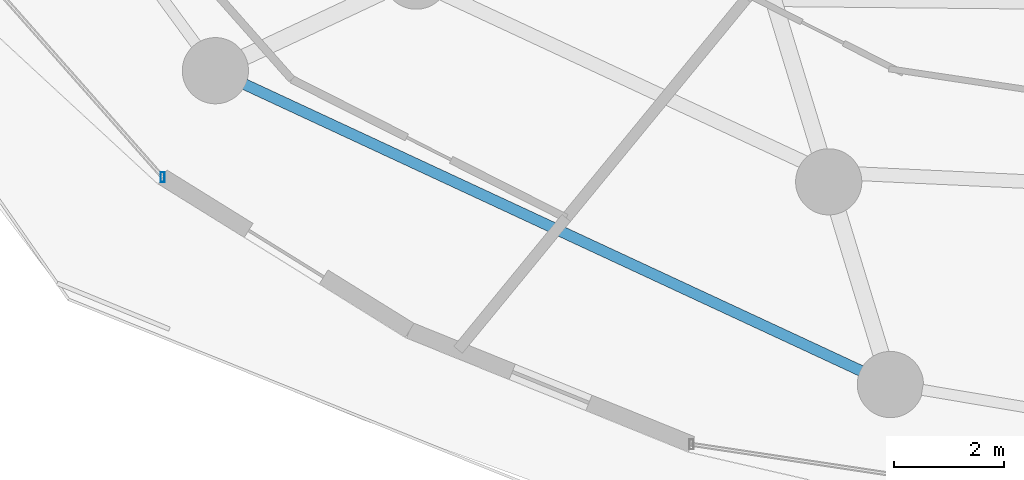
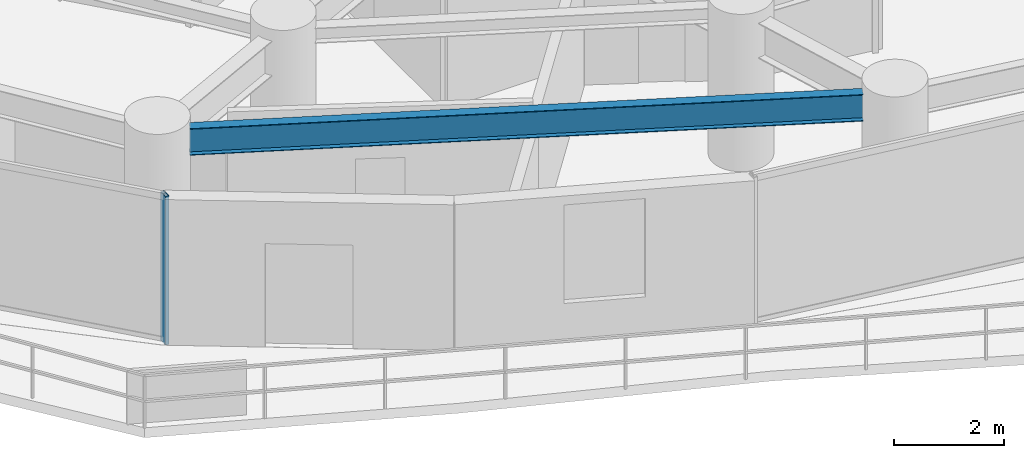
# One storey, part 2 of 30: 1 beam, 1 member, 1 element without a shape of its own.
"""IFC4 building model written with IfcOpenShell, lengths in metres."""

from ifc_helpers import new_model, si_unit, direction, frame, origin, origin_2d, place, context, subcontext, project, spatial, hollow_rectangle, i_section, extrude, material, material_profile, profile_set, type_object, element, aggregate, save


model = new_model("IFC4")

# Units and contexts
model_context = context("Model", 3, precision=1e-05, world=origin(), true_north=direction((0.0, 1.0)))
body_context = subcontext(model_context, "Body", "Model", "MODEL_VIEW")
ifc_project = project(units=[si_unit("LENGTHUNIT", "METRE"), si_unit("AREAUNIT", "SQUARE_METRE"), si_unit("VOLUMEUNIT", "CUBIC_METRE"), si_unit("PLANEANGLEUNIT", "RADIAN"), si_unit("MASSUNIT", "GRAM", prefix="KILO")], contexts=[model_context])

# Site, building, storey
site_placement = place(None, origin())
site = spatial("IfcSite", under=ifc_project, at=site_placement, CompositionType="ELEMENT")
building_placement = place(site_placement, origin())
building = spatial("IfcBuilding", under=site, at=building_placement, Name="Vorneva Point Tower", CompositionType="ELEMENT")
storey_placement = place(building_placement, frame((0.0, 0.0, 55.5)))
storey = spatial("IfcBuildingStorey", under=building, at=storey_placement, Name="L14", CompositionType="ELEMENT", Elevation=55.5)

# Beam
ifc_material_1 = material(Name="Steel S355", Category="steel")
ifc_material_profile_1 = material_profile(ifc_material_1, i_section(OverallWidth=0.198974609375, OverallDepth=0.595947265625, WebThickness=0.010009765625, FlangeThickness=0.014892578125, at=origin_2d()), Name="60B1")
ifc_profile_set_1 = profile_set([ifc_material_profile_1], Name="Steel S355")
beam_type = type_object("IfcBeamType", Name="BM-SPN-60B1", PredefinedType="SPANDREL", material=ifc_profile_set_1)
beam_placement = place(storey_placement, frame((18.591796875, 11.877685546875, 2.94189453125), z_axis=(0.906772901024, -0.421619385191, 0.0), x_axis=(0.421619385191, 0.906772901024, 0.0)))
element("IfcBeam", 1, at=beam_placement, inside=storey, type_object=beam_type, Name="L14 Perimeter Spandrel Ring Beam 11", PredefinedType="SPANDREL", context=body_context, shape_type="SweptSolid", body=[
    extrude(i_section(OverallWidth=0.198974609375, OverallDepth=0.595947265625, WebThickness=0.010009765625, FlangeThickness=0.014892578125, at=origin_2d()), origin(), (0.0, 0.0, 1.0), 12.323486328125),
])

# Curtain wall, member
ifc_material_2 = material(Name="Pale anodised aluminium", Category="aluminium")
curtain_wall_type = type_object("IfcCurtainWallType", Name="CW-HTL-SYS", PredefinedType="NOTDEFINED", material=ifc_material_2)
curtain_wall_placement = place(storey_placement, origin())
curtain_wall = element("IfcCurtainWall", 2, at=curtain_wall_placement, inside=storey, type_object=curtain_wall_type, Name="L14 Unitised Curtain Wall CW-L14-R03", PredefinedType="NOTDEFINED")
ifc_material_profile_2 = material_profile(ifc_material_2, hollow_rectangle(XDim=0.074951171875, YDim=0.179931640625, WallThickness=0.00390625, at=origin_2d()), Name="AL-MUL 180x75x4")
ifc_profile_set_2 = profile_set([ifc_material_profile_2], Name="Pale anodised aluminium")
member_type = type_object("IfcMemberType", Name="CW-MUL-180", PredefinedType="MULLION", material=ifc_profile_set_2)
member_placement = place(storey_placement, frame((17.10498046875, 10.1962890625, -0.0400390625), z_axis=(0.0, 0.0, 1.0), x_axis=(1.0, 0.0, 0.0)))
member = element("IfcMember", 3, at=member_placement, type_object=member_type, Name="CW-L14-R03 Mullion 05", PredefinedType="MULLION", context=body_context, shape_type="SweptSolid", body=[
    extrude(hollow_rectangle(XDim=0.074951171875, YDim=0.179931640625, WallThickness=0.00390625, at=origin_2d()), origin(), (0.0, 0.0, 1.0), 3.31005859375),
])
aggregate(curtain_wall, [member])

save(model, "model.ifc")
